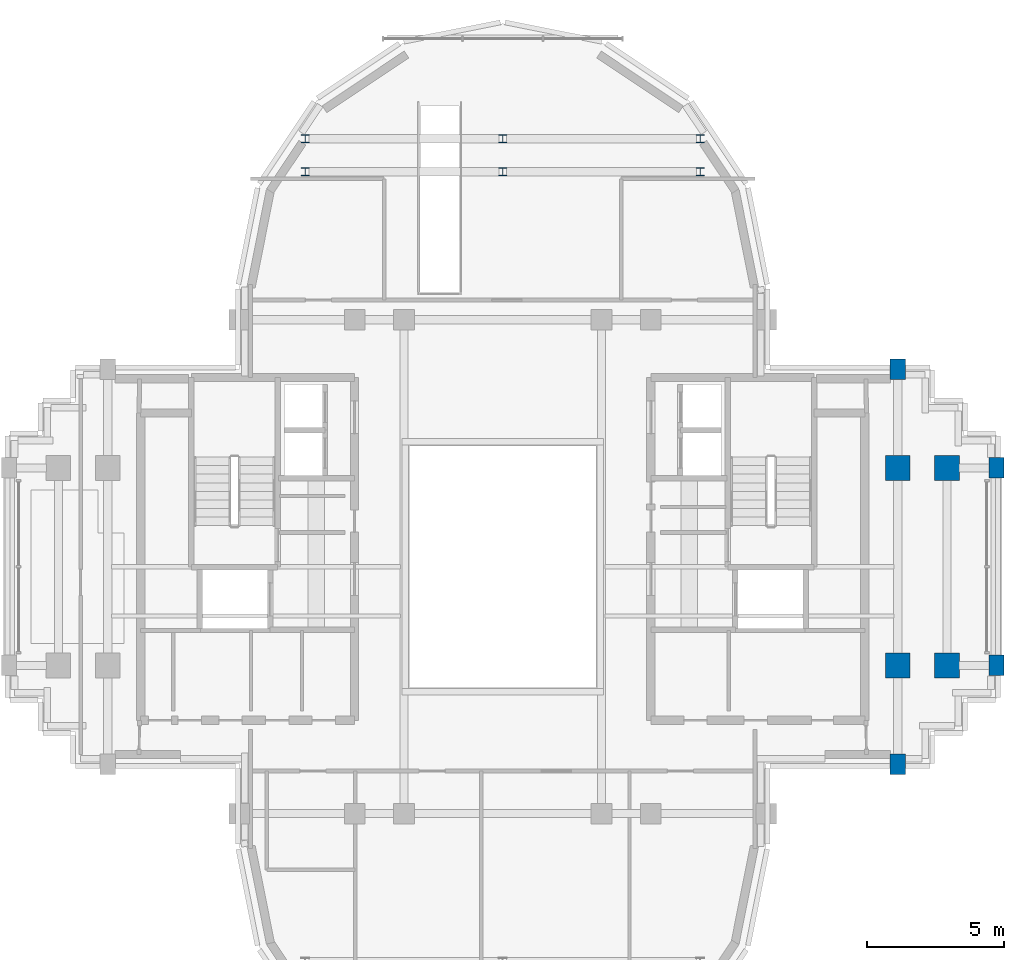
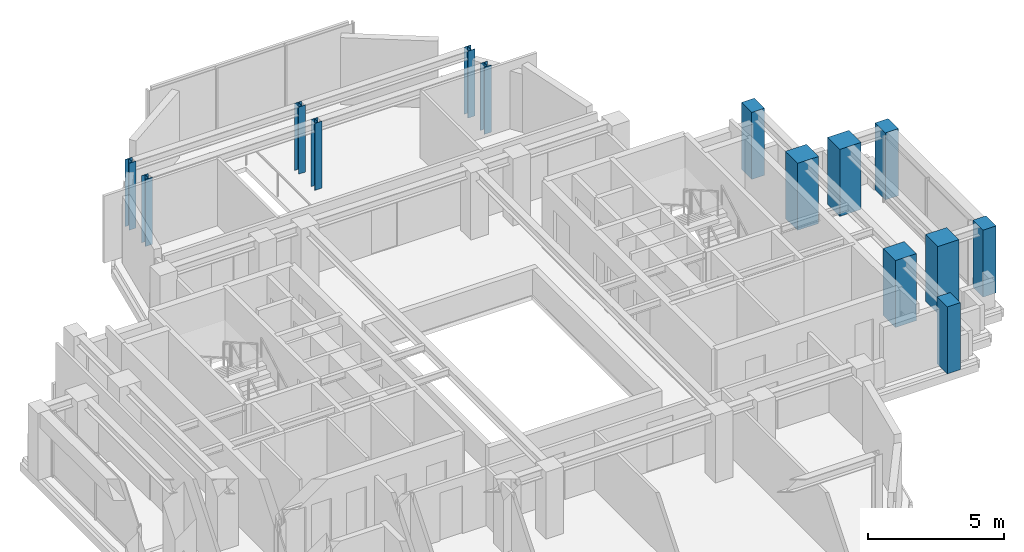
# One storey, part 2 of 12: 14 columns.
"""IFC4 building model written with IfcOpenShell, lengths in metres."""

import ifcopenshell
import ifcopenshell.guid

model = None  # the IFC model being written
_history = None  # IfcOwnerHistory: only IFC2X3 demands one
_inside = {}  # id of a spatial element -> (the spatial element, [elements in it])
_under = {}  # id of a project, library or spatial element -> (it, [spatial elements below it])
_declared = {}  # id of a project -> (the project, [libraries it declares])
_typed = {}  # id of a type object -> (the type object, [elements of that type])
_made_of = {}  # id of a material, layer set ... -> (it, [elements and type objects made of it])


def new_model(schema):
    """Start an empty IFC model of exactly this schema.

    Asked for "IFC4X3", IfcOpenShell would pick the latest addendum, in which some entities
    have other attributes; the version numbers below select the first issue.
    IFC2X3 requires an IfcOwnerHistory on every rooted entity: one is made here for all.
    """
    global model, _history
    if schema == "IFC4X3":
        model = ifcopenshell.file(schema_version=(4, 3, 0, 0))
    else:
        model = ifcopenshell.file(schema=schema)
    _inside.clear()
    _under.clear()
    _declared.clear()
    _typed.clear()
    _made_of.clear()
    _history = None
    if model.schema == "IFC2X3":
        org = make("IfcOrganization", Name="unknown")
        user = make(
            "IfcPersonAndOrganization",
            ThePerson=make("IfcPerson", FamilyName="unknown"),
            TheOrganization=org,
        )
        app = make(
            "IfcApplication",
            ApplicationDeveloper=org,
            Version="unknown",
            ApplicationFullName="unknown",
            ApplicationIdentifier="unknown",
        )
        _history = make(
            "IfcOwnerHistory",
            OwningUser=user,
            OwningApplication=app,
            ChangeAction="ADDED",
            CreationDate=0,
        )
    return model


def make(cls, **values):
    """One entity of the class cls with the attributes given. An attribute that is None is left unset."""
    return model.create_entity(
        cls, **{name: value for name, value in values.items() if value is not None}
    )


def rooted(cls, **values):
    """An entity with a GlobalId (a new one), such as an element, a storey or a relation."""
    return make(cls, GlobalId=ifcopenshell.guid.new(), OwnerHistory=_history, **values)


def si_unit(unit_type, name, prefix=None):
    """IfcSIUnit, for example si_unit("LENGTHUNIT", "METRE", prefix="MILLI")."""
    return make("IfcSIUnit", UnitType=unit_type, Prefix=prefix, Name=name)


def assignment(units):
    """IfcUnitAssignment: the units of a project."""
    return None if units is None else make("IfcUnitAssignment", Units=units)


def point(xyz):
    """IfcCartesianPoint."""
    return None if xyz is None else make("IfcCartesianPoint", Coordinates=xyz)


def direction(xyz):
    """IfcDirection."""
    return None if xyz is None else make("IfcDirection", DirectionRatios=xyz)


def frame(location, z_axis=None, x_axis=None):
    """IfcAxis2Placement3D, a coordinate frame: its origin and axes. An axis left out is left unset."""
    return make(
        "IfcAxis2Placement3D",
        Location=point(location),
        Axis=direction(z_axis),
        RefDirection=direction(x_axis),
    )


def frame_2d(location, x_axis=None):
    """IfcAxis2Placement2D, a coordinate frame in the plane: its origin and x axis."""
    return make(
        "IfcAxis2Placement2D", Location=point(location), RefDirection=direction(x_axis)
    )


def origin():
    """The frame at (0, 0, 0) with its axes left unset."""
    return frame((0.0, 0.0, 0.0))


def origin_2d():
    """The frame at (0, 0) in the plane with its x axis left unset."""
    return frame_2d((0.0, 0.0))


def place(relative_to, where):
    """IfcLocalPlacement: puts the frame where relative to a parent placement (None: the world)."""
    return make(
        "IfcLocalPlacement", PlacementRelTo=relative_to, RelativePlacement=where
    )


def context(
    kind, dimensions, precision=None, world=None, true_north=None, identifier=None
):
    """IfcGeometricRepresentationContext, for example the 3D "Model" context."""
    return make(
        "IfcGeometricRepresentationContext",
        ContextIdentifier=identifier,
        ContextType=kind,
        CoordinateSpaceDimension=dimensions,
        Precision=precision,
        WorldCoordinateSystem=world,
        TrueNorth=true_north,
    )


def subcontext(parent, identifier, kind, view, scale=None):
    """IfcGeometricRepresentationSubContext, for example "Body" below "Model"."""
    return make(
        "IfcGeometricRepresentationSubContext",
        ContextIdentifier=identifier,
        ContextType=kind,
        ParentContext=parent,
        TargetScale=scale,
        TargetView=view,
    )


def project(units=None, contexts=None):
    """IfcProject with its units and contexts."""
    return rooted(
        "IfcProject",
        Name="project",
        RepresentationContexts=contexts,
        UnitsInContext=assignment(units),
    )


def spatial(cls, under=None, at=None, **own):
    """A site, building, storey or space (cls), placed at a placement, below another one or the project."""
    s = rooted(cls, ObjectPlacement=at, **own)
    if under is not None:
        _under.setdefault(under.id(), (under, []))[1].append(s)
    return s


def profile(cls, at=None, kind="AREA", **sizes):
    """A parametric profile (cls). Its sizes go by their IFC names, for example OverallWidth=200.0."""
    return make(cls, ProfileType=kind, Position=at, **sizes)


def rectangle(**sizes):
    """IfcRectangleProfileDef."""
    return profile("IfcRectangleProfileDef", **sizes)


def i_section(**sizes):
    """IfcIShapeProfileDef."""
    return profile("IfcIShapeProfileDef", **sizes)


def extrude(swept, where, along, depth):
    """IfcExtrudedAreaSolid: the profile swept, set in the frame where, extruded along a direction by depth."""
    return make(
        "IfcExtrudedAreaSolid",
        SweptArea=swept,
        Position=where,
        ExtrudedDirection=direction(along),
        Depth=depth,
    )


def shape(context_of_items, identifier, shape_type, items):
    """IfcShapeRepresentation: the items that make up one representation, for example the "Body"."""
    return make(
        "IfcShapeRepresentation",
        ContextOfItems=context_of_items,
        RepresentationIdentifier=identifier,
        RepresentationType=shape_type,
        Items=items,
    )


def source(mapping_origin, context_of_items, identifier, shape_type, items):
    """IfcRepresentationMap: a shape defined once, which mapped items show again and again."""
    return make(
        "IfcRepresentationMap",
        MappingOrigin=mapping_origin,
        MappedRepresentation=shape(context_of_items, identifier, shape_type, items),
    )


def transform(
    local_origin,
    x_axis=None,
    y_axis=None,
    z_axis=None,
    scale=None,
    scale2=None,
    scale3=None,
    uniform=True,
):
    """IfcCartesianTransformationOperator3D, or its non-uniform kind. x_axis, y_axis, z_axis: its Axis1, 2, 3."""
    if uniform:
        return make(
            "IfcCartesianTransformationOperator3D",
            Axis1=direction(x_axis),
            Axis2=direction(y_axis),
            LocalOrigin=point(local_origin),
            Scale=scale,
            Axis3=direction(z_axis),
        )
    return make(
        "IfcCartesianTransformationOperator3DnonUniform",
        Axis1=direction(x_axis),
        Axis2=direction(y_axis),
        LocalOrigin=point(local_origin),
        Scale=scale,
        Axis3=direction(z_axis),
        Scale2=scale2,
        Scale3=scale3,
    )


def mapped(mapping_source, mapping_target):
    """IfcMappedItem: shows the shape of a source again, moved by a transform."""
    return make(
        "IfcMappedItem", MappingSource=mapping_source, MappingTarget=mapping_target
    )


def material(Name=None, Category=None):
    """IfcMaterial."""
    return make("IfcMaterial", Name=Name, Category=Category)


def material_profile(
    of_material, cross_section, Name=None, Category=None, Priority=None
):
    """IfcMaterialProfile: a cross section and its material."""
    return make(
        "IfcMaterialProfile",
        Name=Name,
        Material=of_material,
        Profile=cross_section,
        Priority=Priority,
        Category=Category,
    )


def profile_set(profiles, Name=None, composite=None):
    """IfcMaterialProfileSet."""
    return make(
        "IfcMaterialProfileSet",
        Name=Name,
        MaterialProfiles=profiles,
        CompositeProfile=composite,
    )


def made_of(thing, what):
    """Note that an element or type object is made of a material, layer set ...; save() writes the relation."""
    if what is not None:
        _made_of.setdefault(what.id(), (what, []))[1].append(thing)
    return thing


def type_object(cls, material=None, **own):
    """A type object (cls), such as IfcWallType, which elements share."""
    return made_of(rooted(cls, **own), material)


def element(
    cls,
    number,
    at=None,
    inside=None,
    cuts=None,
    type_object=None,
    material=None,
    context=None,
    identifier="Body",
    shape_type=None,
    held_by="IfcProductDefinitionShape",
    body=None,
    shapes=None,
    **own,
):
    """One element of the class cls, such as IfcWall. Its Tag is "e" and its number.

    at: its placement. inside: the storey or other place that contains it. cuts: it is an
    opening in that element (IfcRelVoidsElement). A single representation is given by context,
    identifier, shape_type and body (its items); several are given by shapes. held_by: the class
    of the entity that holds the representations. save() writes the other relations.
    """
    e = rooted(cls, Tag="e%d" % number, ObjectPlacement=at, **own)
    if body is not None:
        shapes = [shape(context, identifier, shape_type, body)]
    if shapes is not None:
        e.Representation = make(held_by, Representations=shapes)
    if inside is not None:
        _inside.setdefault(inside.id(), (inside, []))[1].append(e)
    if cuts is not None:
        rooted(
            "IfcRelVoidsElement", RelatingBuildingElement=cuts, RelatedOpeningElement=e
        )
    if type_object is not None:
        _typed.setdefault(type_object.id(), (type_object, []))[1].append(e)
    return made_of(e, material)


def aggregate(whole, parts):
    """IfcRelAggregates: a whole, such as a stair, and the parts it consists of."""
    return rooted("IfcRelAggregates", RelatingObject=whole, RelatedObjects=parts)


def save(model, path):
    """Write the relations noted so far, then the file.

    IfcRelAggregates (storeys below a building ...), IfcRelContainedInSpatialStructure (elements
    in a storey), IfcRelDefinesByType, IfcRelAssociatesMaterial and IfcRelDeclares: one each for
    every whole, place, type object, material and project.
    """
    for whole, parts in _under.values():
        aggregate(whole, parts)
    for where, things in _inside.values():
        rooted(
            "IfcRelContainedInSpatialStructure",
            RelatedElements=things,
            RelatingStructure=where,
        )
    for kind, things in _typed.values():
        rooted("IfcRelDefinesByType", RelatedObjects=things, RelatingType=kind)
    for what, things in _made_of.values():
        rooted("IfcRelAssociatesMaterial", RelatedObjects=things, RelatingMaterial=what)
    for by, libraries in _declared.values():
        rooted("IfcRelDeclares", RelatingContext=by, RelatedDefinitions=libraries)
    model.write(path)


model = new_model("IFC4")

# Units and contexts
model_context = context("Model", 3, precision=1e-05, world=origin(), true_north=direction((0.0, 1.0)))
body_context = subcontext(model_context, "Body", "Model", "MODEL_VIEW")
ifc_project = project(units=[si_unit("LENGTHUNIT", "METRE"), si_unit("AREAUNIT", "SQUARE_METRE"), si_unit("VOLUMEUNIT", "CUBIC_METRE"), si_unit("PLANEANGLEUNIT", "RADIAN"), si_unit("MASSUNIT", "GRAM", prefix="KILO")], contexts=[model_context])

# Site, building, storey
site_placement = place(None, origin())
site = spatial("IfcSite", under=ifc_project, at=site_placement, CompositionType="ELEMENT")
building_placement = place(site_placement, origin())
building = spatial("IfcBuilding", under=site, at=building_placement, Name="Keilestroom Media Tower", CompositionType="ELEMENT")
storey_placement = place(building_placement, frame((0.0, 0.0, 223.60009765625)))
storey = spatial("IfcBuildingStorey", under=building, at=storey_placement, Name="L61", CompositionType="ELEMENT", Elevation=223.60009765625)

# Columns
ifc_material_1 = material(Name="Precast concrete C40/50", Category="concrete")
ifc_material_profile_1 = material_profile(ifc_material_1, rectangle(XDim=0.550048828125, YDim=0.75, at=origin_2d()), Name="PC 750x550")
ifc_profile_set_1 = profile_set([ifc_material_profile_1], Name="Precast concrete C40/50")
column_type_1 = type_object("IfcColumnType", Name="Structural-Column-PC-750x550", PredefinedType="COLUMN", material=ifc_profile_set_1)
shared_shape_1 = source(origin(), body_context, "Body", "SweptSolid", [
    extrude(rectangle(XDim=0.550048828125, YDim=0.75, at=origin_2d()), origin(), (0.0, 0.0, 1.0), 3.010009765625),
])
for number, where, z_axis, x_axis, name in (
    (1, (14.39990234375, -7.199951171875, 0.0), (0.0, 0.0, 1.0), (1.0, 0.0, 0.0), "L61 Column PC-3 (+14.4,-7.2)"),
    (2, (14.39990234375, 7.199951171875, 0.0), (0.0, 0.0, 1.0), (1.0, 0.0, 0.0), "L61 Column PC-3 (+14.4,+7.2)"),
    (3, (18.0, -3.60009765625, 0.0), (0.0, 0.0, 1.0), (1.0, 0.0, 0.0), "L61 Column PC-3 (+18.0,-3.6)"),
    (4, (18.0, 3.60009765625, 0.0), (0.0, 0.0, 1.0), (1.0, 0.0, 0.0), "L61 Column PC-3 (+18.0,+3.6)"),
):
    element("IfcColumn", number, at=place(storey_placement, frame(where, z_axis=z_axis, x_axis=x_axis)), inside=storey, type_object=column_type_1, Name=name, PredefinedType="COLUMN", context=body_context, shape_type="MappedRepresentation", body=[
        mapped(shared_shape_1, transform((0.0, 0.0, 0.0), x_axis=(1.0, 0.0, 0.0), y_axis=(0.0, 1.0, 0.0), z_axis=(0.0, 0.0, 1.0), scale=1.0)),
    ])
ifc_material_2 = material(Name="Concrete C55/67", Category="concrete")
ifc_material_profile_2 = material_profile(ifc_material_2, rectangle(XDim=0.89990234375, YDim=0.89990234375, at=origin_2d()), Name="RC 900x900")
ifc_profile_set_2 = profile_set([ifc_material_profile_2], Name="Concrete C55/67")
column_type_2 = type_object("IfcColumnType", Name="Structural-Column-RC-900x900", PredefinedType="COLUMN", material=ifc_profile_set_2)
shared_shape_2 = source(origin(), body_context, "Body", "SweptSolid", [
    extrude(rectangle(XDim=0.89990234375, YDim=0.89990234375, at=origin_2d()), origin(), (0.0, 0.0, 1.0), 3.010009765625),
])
for number, where, z_axis, x_axis, name in (
    (5, (14.39990234375, -3.60009765625, 0.0), (0.0, 0.0, 1.0), (1.0, 0.0, 0.0), "L61 Column MC-4 (+14.4,-3.6)"),
    (6, (14.39990234375, 3.60009765625, 0.0), (0.0, 0.0, 1.0), (1.0, 0.0, 0.0), "L61 Column MC-4 (+14.4,+3.6)"),
    (7, (16.199951171875, -3.60009765625, 0.0), (0.0, 0.0, 1.0), (1.0, 0.0, 0.0), "L61 Column MC-4 (+16.2,-3.6)"),
    (8, (16.199951171875, 3.60009765625, 0.0), (0.0, 0.0, 1.0), (1.0, 0.0, 0.0), "L61 Column MC-4 (+16.2,+3.6)"),
):
    element("IfcColumn", number, at=place(storey_placement, frame(where, z_axis=z_axis, x_axis=x_axis)), inside=storey, type_object=column_type_2, Name=name, PredefinedType="COLUMN", context=body_context, shape_type="MappedRepresentation", body=[
        mapped(shared_shape_2, transform((0.0, 0.0, 0.0), x_axis=(1.0, 0.0, 0.0), y_axis=(0.0, 1.0, 0.0), z_axis=(0.0, 0.0, 1.0), scale=1.0)),
    ])
ifc_material_3 = material(Name="Steel S355", Category="steel")
ifc_material_profile_3 = material_profile(ifc_material_3, i_section(OverallWidth=0.300048828125, OverallDepth=0.300048828125, WebThickness=0.010986328125, FlangeThickness=0.01904296875, at=origin_2d()), Name="HEB 300")
ifc_profile_set_3 = profile_set([ifc_material_profile_3], Name="Steel S355")
column_type_3 = type_object("IfcColumnType", Name="Structural-Column-HEB-300", PredefinedType="COLUMN", material=ifc_profile_set_3)
shared_shape_3 = source(origin(), body_context, "Body", "SweptSolid", [
    extrude(i_section(OverallWidth=0.300048828125, OverallDepth=0.300048828125, WebThickness=0.010986328125, FlangeThickness=0.01904296875, at=origin_2d()), origin(), (0.0, 0.0, 1.0), 3.010009765625),
])
for number, where, z_axis, x_axis, name in (
    (9, (-7.199951171875, 14.39990234375, 0.0), (0.0, 0.0, 1.0), (1.0, 0.0, 0.0), "L61 Column SC-5 (-7.2,+14.4)"),
    (10, (-7.199951171875, 15.60009765625, 0.0), (0.0, 0.0, 1.0), (1.0, 0.0, 0.0), "L61 Column SC-5 (-7.2,+15.6)"),
    (11, (0.0, 14.39990234375, 0.0), (0.0, 0.0, 1.0), (1.0, 0.0, 0.0), "L61 Column SC-5 (+0.0,+14.4)"),
    (12, (0.0, 15.60009765625, 0.0), (0.0, 0.0, 1.0), (1.0, 0.0, 0.0), "L61 Column SC-5 (+0.0,+15.6)"),
    (13, (7.199951171875, 14.39990234375, 0.0), (0.0, 0.0, 1.0), (1.0, 0.0, 0.0), "L61 Column SC-5 (+7.2,+14.4)"),
    (14, (7.199951171875, 15.60009765625, 0.0), (0.0, 0.0, 1.0), (1.0, 0.0, 0.0), "L61 Column SC-5 (+7.2,+15.6)"),
):
    element("IfcColumn", number, at=place(storey_placement, frame(where, z_axis=z_axis, x_axis=x_axis)), inside=storey, type_object=column_type_3, Name=name, PredefinedType="COLUMN", context=body_context, shape_type="MappedRepresentation", body=[
        mapped(shared_shape_3, transform((0.0, 0.0, 0.0), x_axis=(1.0, 0.0, 0.0), y_axis=(0.0, 1.0, 0.0), z_axis=(0.0, 0.0, 1.0), scale=1.0)),
    ])

save(model, "model.ifc")
